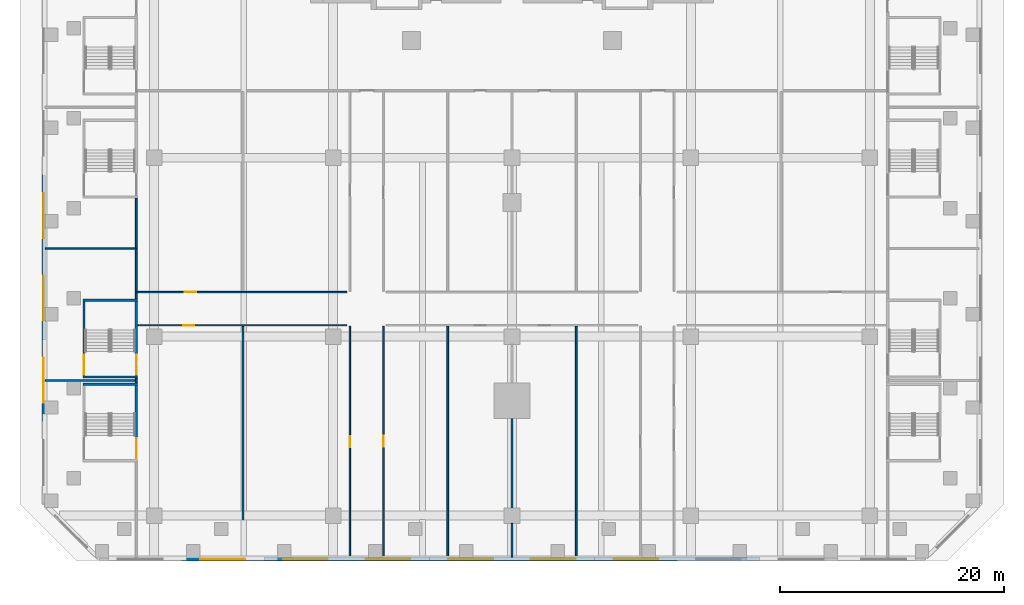
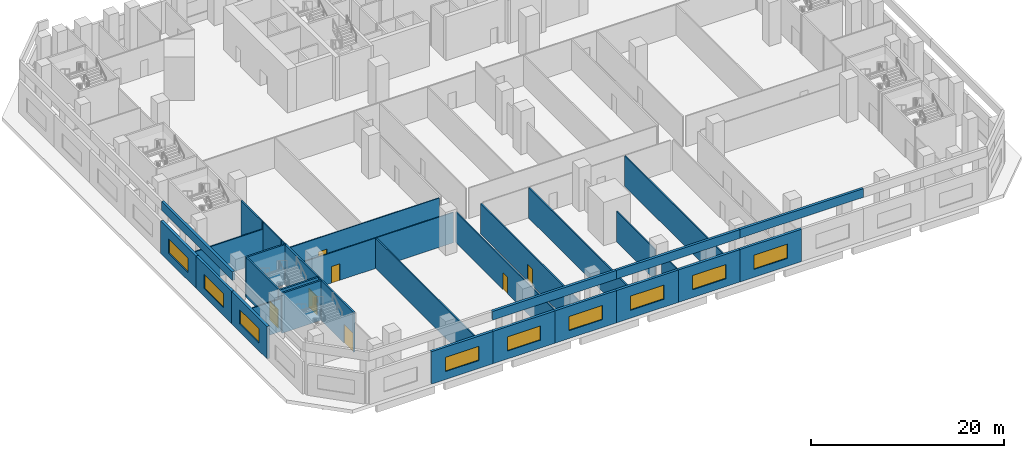
# One storey, part 4 of 22: 34 walls, 9 windows, 7 doors, 16 openings.
"""IFC4 building model written with IfcOpenShell, lengths in metres."""

from ifc_helpers import new_model, si_unit, direction, frame, frame_2d, origin, place, context, subcontext, project, spatial, rectangle, extrude, material, layer, layer_set, type_object, element, fill, save


model = new_model("IFC4")

# Units and contexts
model_context = context("Model", 3, precision=1e-05, world=origin(), true_north=direction((0.0, 1.0)))
body_context = subcontext(model_context, "Body", "Model", "MODEL_VIEW")
ifc_project = project(units=[si_unit("LENGTHUNIT", "METRE"), si_unit("AREAUNIT", "SQUARE_METRE"), si_unit("VOLUMEUNIT", "CUBIC_METRE"), si_unit("PLANEANGLEUNIT", "RADIAN"), si_unit("MASSUNIT", "GRAM", prefix="KILO")], contexts=[model_context])

# Site, building, storey
site_placement = place(None, origin())
site = spatial("IfcSite", under=ifc_project, at=site_placement, CompositionType="ELEMENT")
building_placement = place(site_placement, origin())
building = spatial("IfcBuilding", under=site, at=building_placement, Name="Calabash Gate Tower", CompositionType="ELEMENT")
storey_placement = place(building_placement, frame((0.0, 0.0, 34.5)))
storey = spatial("IfcBuildingStorey", under=building, at=storey_placement, Name="L04", CompositionType="ELEMENT", Elevation=34.5)

# Wall
ifc_material_1 = material(Name="Gypsum board on steel studs, mineral wool", Category="steel")
ifc_layer_1 = layer(ifc_material_1, 0.14990234375)
ifc_layer_set_1 = layer_set([ifc_layer_1], Name="Partition 150 gypsum board")
wall_type_1 = type_object("IfcWallType", Name="Partition 150 gypsum board", PredefinedType="PARTITIONING", material=ifc_layer_set_1)
wall_1_placement = place(storey_placement, frame((-24.050048828125, -43.719970703125, 0.0), z_axis=(0.0, 0.0, 1.0), x_axis=(0.0, 1.0, 0.0)))
element("IfcWall", 1, at=wall_1_placement, inside=storey, type_object=wall_type_1, Name="Partition", PredefinedType="PARTITIONING", context=body_context, shape_type="SweptSolid", body=[
    extrude(rectangle(XDim=20.64501953125, YDim=0.14990234375, at=frame_2d((10.322509765625, 0.0))), origin(), (0.0, 0.0, 1.0), 3.85009765625),
])

# Wall, opening, door
wall_2_placement = place(storey_placement, frame((-14.5, -43.719970703125, 0.0), z_axis=(0.0, 0.0, 1.0), x_axis=(0.0, 1.0, 0.0)))
wall_2 = element("IfcWall", 2, at=wall_2_placement, inside=storey, type_object=wall_type_1, Name="Partition", PredefinedType="PARTITIONING", context=body_context, shape_type="SweptSolid", body=[
    extrude(rectangle(XDim=20.64501953125, YDim=0.14990234375, at=frame_2d((10.322509765625, 0.0))), origin(), (0.0, 0.0, 1.0), 3.85009765625),
])
opening_1_placement = place(wall_2_placement, frame((9.820068359375, 0.0, 0.0)))
opening_1 = element("IfcOpeningElement", 3, at=opening_1_placement, cuts=wall_2, Name="Opening L04-059", PredefinedType="OPENING", context=body_context, shape_type="SweptSolid", body=[
    extrude(rectangle(XDim=1.0, YDim=2.10009765625, at=frame_2d((0.5, 1.050048828125))), frame((0.0, 0.0849609375, 0.0), z_axis=(0.0, -1.0, 0.0), x_axis=(1.0, 0.0, 0.0)), (0.0, 0.0, 1.0), 0.169921875),
])
ifc_material_2 = material(Name="Steel fire door set with fire-resisting glazing", Category="steel")
door_type_1 = type_object("IfcDoorType", Name="Fire door D11 1000x2100 FD60", OperationType="NOTDEFINED", PredefinedType="DOOR", material=ifc_material_2)
door_1_placement = place(opening_1_placement, origin())
door_1 = element("IfcDoor", 4, at=door_1_placement, inside=storey, type_object=door_type_1, Name="Meeting Room 410 door", OperationType="SINGLE_SWING_LEFT", OverallHeight=2.10009765625, OverallWidth=1.0, PredefinedType="DOOR", context=body_context, shape_type="SweptSolid", body=[
    extrude(rectangle(XDim=1.0, YDim=2.10009765625, at=frame_2d((0.5, 1.050048828125))), frame((0.0, 0.02490234375, 0.0), z_axis=(0.0, -1.0, 0.0), x_axis=(1.0, 0.0, 0.0)), (0.0, 0.0, 1.0), 0.050048828125),
])
fill(opening_1, door_1)

wall_3_placement = place(storey_placement, frame((-11.5, -43.719970703125, 0.0), z_axis=(0.0, 0.0, 1.0), x_axis=(0.0, 1.0, 0.0)))
wall_3 = element("IfcWall", 5, at=wall_3_placement, inside=storey, type_object=wall_type_1, Name="Partition", PredefinedType="PARTITIONING", context=body_context, shape_type="SweptSolid", body=[
    extrude(rectangle(XDim=20.64501953125, YDim=0.14990234375, at=frame_2d((10.322509765625, 0.0))), origin(), (0.0, 0.0, 1.0), 3.85009765625),
])
opening_2_placement = place(wall_3_placement, frame((9.8701171875, 0.0, 0.0)))
opening_2 = element("IfcOpeningElement", 6, at=opening_2_placement, cuts=wall_3, Name="Opening L04-060", PredefinedType="OPENING", context=body_context, shape_type="SweptSolid", body=[
    extrude(rectangle(XDim=1.0, YDim=2.10009765625, at=frame_2d((0.5, 1.050048828125))), frame((0.0, 0.0849609375, 0.0), z_axis=(0.0, -1.0, 0.0), x_axis=(1.0, 0.0, 0.0)), (0.0, 0.0, 1.0), 0.169921875),
])
door_2_placement = place(opening_2_placement, origin())
door_2 = element("IfcDoor", 7, at=door_2_placement, inside=storey, type_object=door_type_1, Name="Meeting Room 411 door", OperationType="SINGLE_SWING_LEFT", OverallHeight=2.10009765625, OverallWidth=1.0, PredefinedType="DOOR", context=body_context, shape_type="SweptSolid", body=[
    extrude(rectangle(XDim=1.0, YDim=2.10009765625, at=frame_2d((0.5, 1.050048828125))), frame((0.0, 0.02490234375, 0.0), z_axis=(0.0, -1.0, 0.0), x_axis=(1.0, 0.0, 0.0)), (0.0, 0.0, 1.0), 0.050048828125),
])
fill(opening_2, door_2)

# Walls
wall_4_placement = place(storey_placement, frame((-5.75, -43.719970703125, 0.0), z_axis=(0.0, 0.0, 1.0), x_axis=(0.0, 1.0, 0.0)))
element("IfcWall", 8, at=wall_4_placement, inside=storey, type_object=wall_type_1, Name="Partition", PredefinedType="PARTITIONING", context=body_context, shape_type="SweptSolid", body=[
    extrude(rectangle(XDim=20.64501953125, YDim=0.14990234375, at=frame_2d((10.322509765625, 0.0))), origin(), (0.0, 0.0, 1.0), 3.85009765625),
])
wall_5_placement = place(storey_placement, frame((0.0, -43.719970703125, 0.0), z_axis=(0.0, 0.0, 1.0), x_axis=(0.0, 1.0, 0.0)))
element("IfcWall", 9, at=wall_5_placement, inside=storey, type_object=wall_type_1, Name="Partition", PredefinedType="PARTITIONING", context=body_context, shape_type="SweptSolid", body=[
    extrude(rectangle(XDim=3.02001953125, YDim=0.14990234375, at=frame_2d((1.510009765625, 0.0))), origin(), (0.0, 0.0, 1.0), 4.14990234375),
])
wall_6_placement = place(storey_placement, frame((5.75, -43.719970703125, 0.0), z_axis=(0.0, 0.0, 1.0), x_axis=(0.0, 1.0, 0.0)))
element("IfcWall", 10, at=wall_6_placement, inside=storey, type_object=wall_type_1, Name="Partition", PredefinedType="PARTITIONING", context=body_context, shape_type="SweptSolid", body=[
    extrude(rectangle(XDim=20.64501953125, YDim=0.14990234375, at=frame_2d((10.322509765625, 0.0))), origin(), (0.0, 0.0, 1.0), 3.85009765625),
])
wall_7_placement = place(storey_placement, frame((0.0, -39.300048828125, 0.0), z_axis=(0.0, 0.0, 1.0), x_axis=(0.0, 1.0, 0.0)))
element("IfcWall", 11, at=wall_7_placement, inside=storey, type_object=wall_type_1, Name="Partition", PredefinedType="PARTITIONING", context=body_context, shape_type="SweptSolid", body=[
    extrude(rectangle(XDim=7.967041015625, YDim=0.14990234375, at=frame_2d((3.9833984375, 0.0))), origin(), (0.0, 0.0, 1.0), 3.85009765625),
])
wall_8_placement = place(storey_placement, frame((-33.60009765625, -28.110107421875, 0.0), z_axis=(0.0, 0.0, 1.0), x_axis=(0.0, 1.0, 0.0)))
element("IfcWall", 12, at=wall_8_placement, inside=storey, type_object=wall_type_1, Name="Partition", PredefinedType="PARTITIONING", context=body_context, shape_type="SweptSolid", body=[
    extrude(rectangle(XDim=0.3701171875, YDim=0.14990234375, at=frame_2d((0.18505859375, 0.0))), origin(), (0.0, 0.0, 1.0), 5.050048828125),
])
wall_9_placement = place(storey_placement, frame((-41.719970703125, -27.925048828125, 0.0), z_axis=(0.0, 0.0, 1.0), x_axis=(1.0, 0.0, 0.0)))
element("IfcWall", 13, at=wall_9_placement, inside=storey, type_object=wall_type_1, Name="Partition", PredefinedType="PARTITIONING", context=body_context, shape_type="SweptSolid", body=[
    extrude(rectangle(XDim=8.044921875, YDim=0.14990234375, at=frame_2d((4.0224609375, 0.0))), origin(), (0.0, 0.0, 1.0), 4.14990234375),
])

# Wall, opening, door
wall_10_placement = place(storey_placement, frame((-33.4599609375, -22.982421875, 0.0), z_axis=(0.0, 0.0, 1.0), x_axis=(1.0, 0.0, 0.0)))
wall_10 = element("IfcWall", 14, at=wall_10_placement, inside=storey, type_object=wall_type_1, Name="Partition", PredefinedType="PARTITIONING", context=body_context, shape_type="SweptSolid", body=[
    extrude(rectangle(XDim=18.68994140625, YDim=0.114990234375, at=frame_2d((9.344970703125, 0.0))), origin(), (0.0, 0.0, 1.0), 3.85009765625),
])
opening_3_placement = place(wall_10_placement, frame((4.06005859375, 0.0, 0.0)))
opening_3 = element("IfcOpeningElement", 15, at=opening_3_placement, cuts=wall_10, Name="Opening L04-058", PredefinedType="OPENING", context=body_context, shape_type="SweptSolid", body=[
    extrude(rectangle(XDim=1.0, YDim=2.10009765625, at=frame_2d((0.5, 1.050048828125))), frame((0.0, 0.0673828125, 0.0), z_axis=(0.0, -1.0, 0.0), x_axis=(1.0, 0.0, 0.0)), (0.0, 0.0, 1.0), 0.135009765625),
])
door_3_placement = place(opening_3_placement, origin())
door_3 = element("IfcDoor", 16, at=door_3_placement, inside=storey, type_object=door_type_1, Name="Meeting Room 409 door", OperationType="SINGLE_SWING_LEFT", OverallHeight=2.10009765625, OverallWidth=1.0, PredefinedType="DOOR", context=body_context, shape_type="SweptSolid", body=[
    extrude(rectangle(XDim=1.0, YDim=2.10009765625, at=frame_2d((0.5, 1.050048828125))), frame((0.0, 0.02490234375, 0.0), z_axis=(0.0, -1.0, 0.0), x_axis=(1.0, 0.0, 0.0)), (0.0, 0.0, 1.0), 0.050048828125),
])
fill(opening_3, door_3)

# Wall
wall_11_placement = place(storey_placement, frame((-33.60009765625, -20.610107421875, 0.0), z_axis=(0.0, 0.0, 1.0), x_axis=(0.0, 1.0, 0.0)))
element("IfcWall", 17, at=wall_11_placement, inside=storey, type_object=wall_type_1, Name="Partition", PredefinedType="PARTITIONING", context=body_context, shape_type="SweptSolid", body=[
    extrude(rectangle(XDim=0.53515625, YDim=0.14990234375, at=frame_2d((0.267578125, 0.0))), origin(), (0.0, 0.0, 1.0), 5.050048828125),
])

# Wall, opening, door
wall_12_placement = place(storey_placement, frame((-33.675048828125, -20.017578125, 0.0), z_axis=(0.0, 0.0, 1.0), x_axis=(1.0, 0.0, 0.0)))
wall_12 = element("IfcWall", 18, at=wall_12_placement, inside=storey, type_object=wall_type_1, Name="Partition", PredefinedType="PARTITIONING", context=body_context, shape_type="SweptSolid", body=[
    extrude(rectangle(XDim=18.905029296875, YDim=0.114990234375, at=frame_2d((9.45263671875, 0.0))), origin(), (0.0, 0.0, 1.0), 3.85009765625),
])
opening_4_placement = place(wall_12_placement, frame((4.425048828125, 0.0, 0.0)))
opening_4 = element("IfcOpeningElement", 19, at=opening_4_placement, cuts=wall_12, Name="Opening L04-050", PredefinedType="OPENING", context=body_context, shape_type="SweptSolid", body=[
    extrude(rectangle(XDim=1.0, YDim=2.10009765625, at=frame_2d((0.5, 1.050048828125))), frame((0.0, 0.0673828125, 0.0), z_axis=(0.0, -1.0, 0.0), x_axis=(1.0, 0.0, 0.0)), (0.0, 0.0, 1.0), 0.135009765625),
])
door_4_placement = place(opening_4_placement, origin())
door_4 = element("IfcDoor", 20, at=door_4_placement, inside=storey, type_object=door_type_1, Name="Meeting Room 401 door", OperationType="SINGLE_SWING_LEFT", OverallHeight=2.10009765625, OverallWidth=1.0, PredefinedType="DOOR", context=body_context, shape_type="SweptSolid", body=[
    extrude(rectangle(XDim=1.0, YDim=2.10009765625, at=frame_2d((0.5, 1.050048828125))), frame((0.0, 0.02490234375, 0.0), z_axis=(0.0, -1.0, 0.0), x_axis=(1.0, 0.0, 0.0)), (0.0, 0.0, 1.0), 0.050048828125),
])
fill(opening_4, door_4)

# Walls
wall_13_placement = place(storey_placement, frame((-33.60009765625, -19.925048828125, 0.0), z_axis=(0.0, 0.0, 1.0), x_axis=(0.0, 1.0, 0.0)))
element("IfcWall", 21, at=wall_13_placement, inside=storey, type_object=wall_type_1, Name="Partition", PredefinedType="PARTITIONING", context=body_context, shape_type="SweptSolid", body=[
    extrude(rectangle(XDim=3.72509765625, YDim=0.14990234375, at=frame_2d((1.862548828125, 0.0))), origin(), (0.0, 0.0, 1.0), 5.050048828125),
])
wall_14_placement = place(storey_placement, frame((-41.719970703125, -16.125, 0.0), z_axis=(0.0, 0.0, 1.0), x_axis=(1.0, 0.0, 0.0)))
element("IfcWall", 22, at=wall_14_placement, inside=storey, type_object=wall_type_1, Name="Partition", PredefinedType="PARTITIONING", context=body_context, shape_type="SweptSolid", body=[
    extrude(rectangle(XDim=8.195068359375, YDim=0.14990234375, at=frame_2d((4.09765625, 0.0))), origin(), (0.0, 0.0, 1.0), 4.14990234375),
])
wall_15_placement = place(storey_placement, frame((-33.60009765625, -16.050048828125, 0.0), z_axis=(0.0, 0.0, 1.0), x_axis=(0.0, 1.0, 0.0)))
element("IfcWall", 23, at=wall_15_placement, inside=storey, type_object=wall_type_1, Name="Partition", PredefinedType="PARTITIONING", context=body_context, shape_type="SweptSolid", body=[
    extrude(rectangle(XDim=4.41015625, YDim=0.14990234375, at=frame_2d((2.205078125, 0.0))), origin(), (0.0, 0.0, 1.0), 5.050048828125),
])

# Wall, opening, window
ifc_material_3 = material(Name="Terracotta brick masonry, exposed face", Category="masonry")
ifc_layer_2 = layer(ifc_material_3, 0.300048828125)
ifc_layer_set_2 = layer_set([ifc_layer_2], Name="Podium brick wall 300")
wall_type_2 = type_object("IfcWallType", Name="Podium brick wall 300", PredefinedType="SOLIDWALL", material=ifc_layer_set_2)
wall_16_placement = place(storey_placement, frame((-29.56005859375, -43.89990234375, 0.0), z_axis=(0.0, 0.0, 1.0), x_axis=(1.0, 0.0, 0.0)))
wall_16 = element("IfcWall", 24, at=wall_16_placement, inside=storey, type_object=wall_type_2, Name="Podium brick wall L04 0.0.1", PredefinedType="SOLIDWALL", context=body_context, shape_type="SweptSolid", body=[
    extrude(rectangle(XDim=7.39013671875, YDim=0.300048828125, at=frame_2d((3.695068359375, 0.0))), origin(), (0.0, 0.0, 1.0), 4.10009765625),
])
opening_5_placement = place(wall_16_placement, frame((1.695068359375, 0.0, 1.0)))
opening_5 = element("IfcOpeningElement", 25, at=opening_5_placement, cuts=wall_16, Name="Opening WM1", PredefinedType="OPENING", context=body_context, shape_type="SweptSolid", body=[
    extrude(rectangle(XDim=4.0, YDim=1.800048828125, at=frame_2d((2.0, 0.89990234375))), frame((0.0, 0.159912109375, 0.0), z_axis=(0.0, -1.0, 0.0), x_axis=(1.0, 0.0, 0.0)), (0.0, 0.0, 1.0), 0.320068359375),
])
ifc_material_4 = material(Name="Anodised aluminium frame, bronze finish, impact-rated laminated clear glazing", Category="aluminium")
window_type = type_object("IfcWindowType", Name="Window WM1 4000x1800", PartitioningType="TRIPLE_PANEL_VERTICAL", PredefinedType="WINDOW", material=ifc_material_4)
window_1_placement = place(opening_5_placement, origin())
window_1 = element("IfcWindow", 26, at=window_1_placement, inside=storey, type_object=window_type, Name="Meeting room window L04 0.0.1", OverallHeight=1.800048828125, OverallWidth=4.0, PartitioningType="SINGLE_PANEL", PredefinedType="WINDOW", context=body_context, shape_type="SweptSolid", body=[
    extrude(rectangle(XDim=4.0, YDim=1.800048828125, at=frame_2d((2.0, 0.89990234375))), frame((0.0, 0.030029296875, 0.0), z_axis=(0.0, -1.0, 0.0), x_axis=(1.0, 0.0, 0.0)), (0.0, 0.0, 1.0), 0.06005859375),
])
fill(opening_5, window_1)

wall_17_placement = place(storey_placement, frame((-22.169921875, -43.89990234375, 0.0), z_axis=(0.0, 0.0, 1.0), x_axis=(1.0, 0.0, 0.0)))
wall_17 = element("IfcWall", 27, at=wall_17_placement, inside=storey, type_object=wall_type_2, Name="Podium brick wall L04 0.0.2", PredefinedType="SOLIDWALL", context=body_context, shape_type="SweptSolid", body=[
    extrude(rectangle(XDim=7.389892578125, YDim=0.300048828125, at=frame_2d((3.69482421875, 0.0))), origin(), (0.0, 0.0, 1.0), 4.10009765625),
])
opening_6_placement = place(wall_17_placement, frame((1.695068359375, 0.0, 1.0)))
opening_6 = element("IfcOpeningElement", 28, at=opening_6_placement, cuts=wall_17, Name="Opening WM1", PredefinedType="OPENING", context=body_context, shape_type="SweptSolid", body=[
    extrude(rectangle(XDim=4.0, YDim=1.800048828125, at=frame_2d((2.0, 0.89990234375))), frame((0.0, 0.159912109375, 0.0), z_axis=(0.0, -1.0, 0.0), x_axis=(1.0, 0.0, 0.0)), (0.0, 0.0, 1.0), 0.320068359375),
])
window_2_placement = place(opening_6_placement, origin())
window_2 = element("IfcWindow", 29, at=window_2_placement, inside=storey, type_object=window_type, Name="Meeting room window L04 0.0.2", OverallHeight=1.800048828125, OverallWidth=4.0, PartitioningType="SINGLE_PANEL", PredefinedType="WINDOW", context=body_context, shape_type="SweptSolid", body=[
    extrude(rectangle(XDim=4.0, YDim=1.800048828125, at=frame_2d((2.0, 0.89990234375))), frame((0.0, 0.030029296875, 0.0), z_axis=(0.0, -1.0, 0.0), x_axis=(1.0, 0.0, 0.0)), (0.0, 0.0, 1.0), 0.06005859375),
])
fill(opening_6, window_2)

wall_18_placement = place(storey_placement, frame((-14.780029296875, -43.89990234375, 0.0), z_axis=(0.0, 0.0, 1.0), x_axis=(1.0, 0.0, 0.0)))
wall_18 = element("IfcWall", 30, at=wall_18_placement, inside=storey, type_object=wall_type_2, Name="Podium brick wall L04 0.0.3", PredefinedType="SOLIDWALL", context=body_context, shape_type="SweptSolid", body=[
    extrude(rectangle(XDim=7.39013671875, YDim=0.300048828125, at=frame_2d((3.695068359375, 0.0))), origin(), (0.0, 0.0, 1.0), 4.10009765625),
])
opening_7_placement = place(wall_18_placement, frame((1.695068359375, 0.0, 1.0)))
opening_7 = element("IfcOpeningElement", 31, at=opening_7_placement, cuts=wall_18, Name="Opening WM1", PredefinedType="OPENING", context=body_context, shape_type="SweptSolid", body=[
    extrude(rectangle(XDim=4.0, YDim=1.800048828125, at=frame_2d((2.0, 0.89990234375))), frame((0.0, 0.159912109375, 0.0), z_axis=(0.0, -1.0, 0.0), x_axis=(1.0, 0.0, 0.0)), (0.0, 0.0, 1.0), 0.320068359375),
])
window_3_placement = place(opening_7_placement, origin())
window_3 = element("IfcWindow", 32, at=window_3_placement, inside=storey, type_object=window_type, Name="Meeting room window L04 0.0.3", OverallHeight=1.800048828125, OverallWidth=4.0, PartitioningType="SINGLE_PANEL", PredefinedType="WINDOW", context=body_context, shape_type="SweptSolid", body=[
    extrude(rectangle(XDim=4.0, YDim=1.800048828125, at=frame_2d((2.0, 0.89990234375))), frame((0.0, 0.030029296875, 0.0), z_axis=(0.0, -1.0, 0.0), x_axis=(1.0, 0.0, 0.0)), (0.0, 0.0, 1.0), 0.06005859375),
])
fill(opening_7, window_3)

wall_19_placement = place(storey_placement, frame((-7.389892578125, -43.89990234375, 0.0), z_axis=(0.0, 0.0, 1.0), x_axis=(1.0, 0.0, 0.0)))
wall_19 = element("IfcWall", 33, at=wall_19_placement, inside=storey, type_object=wall_type_2, Name="Podium brick wall L04 0.0.4", PredefinedType="SOLIDWALL", context=body_context, shape_type="SweptSolid", body=[
    extrude(rectangle(XDim=7.389892578125, YDim=0.300048828125, at=frame_2d((3.69482421875, 0.0))), origin(), (0.0, 0.0, 1.0), 4.10009765625),
])
opening_8_placement = place(wall_19_placement, frame((1.695068359375, 0.0, 1.0)))
opening_8 = element("IfcOpeningElement", 34, at=opening_8_placement, cuts=wall_19, Name="Opening WM1", PredefinedType="OPENING", context=body_context, shape_type="SweptSolid", body=[
    extrude(rectangle(XDim=4.0, YDim=1.800048828125, at=frame_2d((2.0, 0.89990234375))), frame((0.0, 0.159912109375, 0.0), z_axis=(0.0, -1.0, 0.0), x_axis=(1.0, 0.0, 0.0)), (0.0, 0.0, 1.0), 0.320068359375),
])
window_4_placement = place(opening_8_placement, origin())
window_4 = element("IfcWindow", 35, at=window_4_placement, inside=storey, type_object=window_type, Name="Meeting room window L04 0.0.4", OverallHeight=1.800048828125, OverallWidth=4.0, PartitioningType="SINGLE_PANEL", PredefinedType="WINDOW", context=body_context, shape_type="SweptSolid", body=[
    extrude(rectangle(XDim=4.0, YDim=1.800048828125, at=frame_2d((2.0, 0.89990234375))), frame((0.0, 0.030029296875, 0.0), z_axis=(0.0, -1.0, 0.0), x_axis=(1.0, 0.0, 0.0)), (0.0, 0.0, 1.0), 0.06005859375),
])
fill(opening_8, window_4)

wall_20_placement = place(storey_placement, frame((0.0, -43.89990234375, 0.0), z_axis=(0.0, 0.0, 1.0), x_axis=(1.0, 0.0, 0.0)))
wall_20 = element("IfcWall", 36, at=wall_20_placement, inside=storey, type_object=wall_type_2, Name="Podium brick wall L04 0.0.5", PredefinedType="SOLIDWALL", context=body_context, shape_type="SweptSolid", body=[
    extrude(rectangle(XDim=7.389892578125, YDim=0.300048828125, at=frame_2d((3.69482421875, 0.0))), origin(), (0.0, 0.0, 1.0), 4.10009765625),
])
opening_9_placement = place(wall_20_placement, frame((1.695068359375, 0.0, 1.0)))
opening_9 = element("IfcOpeningElement", 37, at=opening_9_placement, cuts=wall_20, Name="Opening WM1", PredefinedType="OPENING", context=body_context, shape_type="SweptSolid", body=[
    extrude(rectangle(XDim=4.0, YDim=1.800048828125, at=frame_2d((2.0, 0.89990234375))), frame((0.0, 0.159912109375, 0.0), z_axis=(0.0, -1.0, 0.0), x_axis=(1.0, 0.0, 0.0)), (0.0, 0.0, 1.0), 0.320068359375),
])
window_5_placement = place(opening_9_placement, origin())
window_5 = element("IfcWindow", 38, at=window_5_placement, inside=storey, type_object=window_type, Name="Meeting room window L04 0.0.5", OverallHeight=1.800048828125, OverallWidth=4.0, PartitioningType="SINGLE_PANEL", PredefinedType="WINDOW", context=body_context, shape_type="SweptSolid", body=[
    extrude(rectangle(XDim=4.0, YDim=1.800048828125, at=frame_2d((2.0, 0.89990234375))), frame((0.0, 0.030029296875, 0.0), z_axis=(0.0, -1.0, 0.0), x_axis=(1.0, 0.0, 0.0)), (0.0, 0.0, 1.0), 0.06005859375),
])
fill(opening_9, window_5)

wall_21_placement = place(storey_placement, frame((7.389892578125, -43.89990234375, 0.0), z_axis=(0.0, 0.0, 1.0), x_axis=(1.0, 0.0, 0.0)))
wall_21 = element("IfcWall", 39, at=wall_21_placement, inside=storey, type_object=wall_type_2, Name="Podium brick wall L04 0.0.6", PredefinedType="SOLIDWALL", context=body_context, shape_type="SweptSolid", body=[
    extrude(rectangle(XDim=7.39013671875, YDim=0.300048828125, at=frame_2d((3.695068359375, 0.0))), origin(), (0.0, 0.0, 1.0), 4.10009765625),
])
opening_10_placement = place(wall_21_placement, frame((1.695068359375, 0.0, 1.0)))
opening_10 = element("IfcOpeningElement", 40, at=opening_10_placement, cuts=wall_21, Name="Opening WM1", PredefinedType="OPENING", context=body_context, shape_type="SweptSolid", body=[
    extrude(rectangle(XDim=4.0, YDim=1.800048828125, at=frame_2d((2.0, 0.89990234375))), frame((0.0, 0.159912109375, 0.0), z_axis=(0.0, -1.0, 0.0), x_axis=(1.0, 0.0, 0.0)), (0.0, 0.0, 1.0), 0.320068359375),
])
window_6_placement = place(opening_10_placement, origin())
window_6 = element("IfcWindow", 41, at=window_6_placement, inside=storey, type_object=window_type, Name="Meeting room window L04 0.0.6", OverallHeight=1.800048828125, OverallWidth=4.0, PartitioningType="SINGLE_PANEL", PredefinedType="WINDOW", context=body_context, shape_type="SweptSolid", body=[
    extrude(rectangle(XDim=4.0, YDim=1.800048828125, at=frame_2d((2.0, 0.89990234375))), frame((0.0, 0.030029296875, 0.0), z_axis=(0.0, -1.0, 0.0), x_axis=(1.0, 0.0, 0.0)), (0.0, 0.0, 1.0), 0.06005859375),
])
fill(opening_10, window_6)

wall_22_placement = place(storey_placement, frame((-41.89990234375, -9.5, 0.0), z_axis=(0.0, 0.0, 1.0), x_axis=(0.0, -1.0, 0.0)))
wall_22 = element("IfcWall", 42, at=wall_22_placement, inside=storey, type_object=wall_type_2, Name="Podium brick wall L04 6.0.4", PredefinedType="SOLIDWALL", context=body_context, shape_type="SweptSolid", body=[
    extrude(rectangle(XDim=7.362548828125, YDim=0.300048828125, at=frame_2d((3.68115234375, 0.0))), origin(), (0.0, 0.0, 1.0), 4.10009765625),
])
opening_11_placement = place(wall_22_placement, frame((1.68115234375, 0.0, 1.0)))
opening_11 = element("IfcOpeningElement", 43, at=opening_11_placement, cuts=wall_22, Name="Opening WM1", PredefinedType="OPENING", context=body_context, shape_type="SweptSolid", body=[
    extrude(rectangle(XDim=4.0, YDim=1.800048828125, at=frame_2d((2.0, 0.89990234375))), frame((0.0, 0.159912109375, 0.0), z_axis=(0.0, -1.0, 0.0), x_axis=(1.0, 0.0, 0.0)), (0.0, 0.0, 1.0), 0.320068359375),
])
window_7_placement = place(opening_11_placement, origin())
window_7 = element("IfcWindow", 44, at=window_7_placement, inside=storey, type_object=window_type, Name="Meeting room window L04 6.0.4", OverallHeight=1.800048828125, OverallWidth=4.0, PartitioningType="SINGLE_PANEL", PredefinedType="WINDOW", context=body_context, shape_type="SweptSolid", body=[
    extrude(rectangle(XDim=4.0, YDim=1.800048828125, at=frame_2d((2.0, 0.89990234375))), frame((0.0, 0.030029296875, 0.0), z_axis=(0.0, -1.0, 0.0), x_axis=(1.0, 0.0, 0.0)), (0.0, 0.0, 1.0), 0.06005859375),
])
fill(opening_11, window_7)

wall_23_placement = place(storey_placement, frame((-41.89990234375, -16.862548828125, 0.0), z_axis=(0.0, 0.0, 1.0), x_axis=(0.0, -1.0, 0.0)))
wall_23 = element("IfcWall", 45, at=wall_23_placement, inside=storey, type_object=wall_type_2, Name="Podium brick wall L04 6.0.5", PredefinedType="SOLIDWALL", context=body_context, shape_type="SweptSolid", body=[
    extrude(rectangle(XDim=7.362548828125, YDim=0.300048828125, at=frame_2d((3.68115234375, 0.0))), origin(), (0.0, 0.0, 1.0), 4.10009765625),
])
opening_12_placement = place(wall_23_placement, frame((1.68115234375, 0.0, 1.0)))
opening_12 = element("IfcOpeningElement", 46, at=opening_12_placement, cuts=wall_23, Name="Opening WM1", PredefinedType="OPENING", context=body_context, shape_type="SweptSolid", body=[
    extrude(rectangle(XDim=4.0, YDim=1.800048828125, at=frame_2d((2.0, 0.89990234375))), frame((0.0, 0.159912109375, 0.0), z_axis=(0.0, -1.0, 0.0), x_axis=(1.0, 0.0, 0.0)), (0.0, 0.0, 1.0), 0.320068359375),
])
window_8_placement = place(opening_12_placement, origin())
window_8 = element("IfcWindow", 47, at=window_8_placement, inside=storey, type_object=window_type, Name="Meeting room window L04 6.0.5", OverallHeight=1.800048828125, OverallWidth=4.0, PartitioningType="SINGLE_PANEL", PredefinedType="WINDOW", context=body_context, shape_type="SweptSolid", body=[
    extrude(rectangle(XDim=4.0, YDim=1.800048828125, at=frame_2d((2.0, 0.89990234375))), frame((0.0, 0.030029296875, 0.0), z_axis=(0.0, -1.0, 0.0), x_axis=(1.0, 0.0, 0.0)), (0.0, 0.0, 1.0), 0.06005859375),
])
fill(opening_12, window_8)

wall_24_placement = place(storey_placement, frame((-41.89990234375, -24.22509765625, 0.0), z_axis=(0.0, 0.0, 1.0), x_axis=(0.0, -1.0, 0.0)))
wall_24 = element("IfcWall", 48, at=wall_24_placement, inside=storey, type_object=wall_type_2, Name="Podium brick wall L04 6.0.6", PredefinedType="SOLIDWALL", context=body_context, shape_type="SweptSolid", body=[
    extrude(rectangle(XDim=7.3623046875, YDim=0.300048828125, at=frame_2d((3.68115234375, 0.0))), origin(), (0.0, 0.0, 1.0), 4.10009765625),
])
opening_13_placement = place(wall_24_placement, frame((1.68115234375, 0.0, 1.0)))
opening_13 = element("IfcOpeningElement", 49, at=opening_13_placement, cuts=wall_24, Name="Opening WM1", PredefinedType="OPENING", context=body_context, shape_type="SweptSolid", body=[
    extrude(rectangle(XDim=4.0, YDim=1.800048828125, at=frame_2d((2.0, 0.89990234375))), frame((0.0, 0.159912109375, 0.0), z_axis=(0.0, -1.0, 0.0), x_axis=(1.0, 0.0, 0.0)), (0.0, 0.0, 1.0), 0.320068359375),
])
window_9_placement = place(opening_13_placement, origin())
window_9 = element("IfcWindow", 50, at=window_9_placement, inside=storey, type_object=window_type, Name="Meeting room window L04 6.0.6", OverallHeight=1.800048828125, OverallWidth=4.0, PartitioningType="SINGLE_PANEL", PredefinedType="WINDOW", context=body_context, shape_type="SweptSolid", body=[
    extrude(rectangle(XDim=4.0, YDim=1.800048828125, at=frame_2d((2.0, 0.89990234375))), frame((0.0, 0.030029296875, 0.0), z_axis=(0.0, -1.0, 0.0), x_axis=(1.0, 0.0, 0.0)), (0.0, 0.0, 1.0), 0.06005859375),
])
fill(opening_13, window_9)

# Walls
ifc_material_5 = material(Name="Terracotta brick masonry, exposed face", Category="masonry")
ifc_layer_3 = layer(ifc_material_5, 0.300048828125)
ifc_layer_set_3 = layer_set([ifc_layer_3], Name="Podium parapet wall 300")
wall_type_3 = type_object("IfcWallType", Name="Podium parapet wall 300", PredefinedType="PARAPET", material=ifc_layer_set_3)
wall_25_placement = place(storey_placement, frame((-22.199951171875, -43.85009765625, 5.5), z_axis=(0.0, 0.0, 1.0), x_axis=(1.0, 0.0, 0.0)))
element("IfcWall", 51, at=wall_25_placement, inside=storey, type_object=wall_type_3, Name="Podium parapet L04 0.0.1", PredefinedType="PARAPET", context=body_context, shape_type="SweptSolid", body=[
    extrude(rectangle(XDim=14.800048828125, YDim=0.300048828125, at=frame_2d((7.39990234375, 0.0))), origin(), (0.0, 0.0, 1.0), 1.10009765625),
])
wall_26_placement = place(storey_placement, frame((-7.39990234375, -43.85009765625, 5.5), z_axis=(0.0, 0.0, 1.0), x_axis=(1.0, 0.0, 0.0)))
element("IfcWall", 52, at=wall_26_placement, inside=storey, type_object=wall_type_3, Name="Podium parapet L04 0.0.2", PredefinedType="PARAPET", context=body_context, shape_type="SweptSolid", body=[
    extrude(rectangle(XDim=14.7998046875, YDim=0.300048828125, at=frame_2d((7.39990234375, 0.0))), origin(), (0.0, 0.0, 1.0), 1.10009765625),
])
wall_27_placement = place(storey_placement, frame((7.39990234375, -43.85009765625, 5.5), z_axis=(0.0, 0.0, 1.0), x_axis=(1.0, 0.0, 0.0)))
element("IfcWall", 53, at=wall_27_placement, inside=storey, type_object=wall_type_3, Name="Podium parapet L04 0.0.3", PredefinedType="PARAPET", context=body_context, shape_type="SweptSolid", body=[
    extrude(rectangle(XDim=14.800048828125, YDim=0.300048828125, at=frame_2d((7.39990234375, 0.0))), origin(), (0.0, 0.0, 1.0), 1.10009765625),
])
wall_28_placement = place(storey_placement, frame((-41.85009765625, -9.60498046875, 5.5), z_axis=(0.0, 0.0, 1.0), x_axis=(0.0, -1.0, 0.0)))
element("IfcWall", 54, at=wall_28_placement, inside=storey, type_object=wall_type_3, Name="Podium parapet L04 6.0.2", PredefinedType="PARAPET", context=body_context, shape_type="SweptSolid", body=[
    extrude(rectangle(XDim=14.697509765625, YDim=0.300048828125, at=frame_2d((7.3486328125, 0.0))), origin(), (0.0, 0.0, 1.0), 1.10009765625),
])
ifc_material_6 = material(Name="Concrete C40/50", Category="concrete")
ifc_layer_4 = layer(ifc_material_6, 0.199951171875)
ifc_layer_set_4 = layer_set([ifc_layer_4], Name="Stair wall 200 Concrete C40/50")
wall_type_4 = type_object("IfcWallType", Name="Stair wall 200 Concrete C40/50", PredefinedType="SOLIDWALL", material=ifc_layer_set_4)
wall_29_placement = place(storey_placement, frame((-38.3701171875, -28.25, 0.0), z_axis=(0.0, 0.0, 1.0), x_axis=(1.0, 0.0, 0.0)))
element("IfcWall", 55, at=wall_29_placement, inside=storey, type_object=wall_type_4, Name="Stair wall", PredefinedType="SOLIDWALL", context=body_context, shape_type="SweptSolid", body=[
    extrude(rectangle(XDim=4.8701171875, YDim=0.199951171875, at=frame_2d((2.43505859375, 0.0))), origin(), (0.0, 0.0, 1.0), 5.050048828125),
])

# Wall, opening, door
wall_30_placement = place(storey_placement, frame((-33.60009765625, -35.0, 0.0), z_axis=(0.0, 0.0, 1.0), x_axis=(0.0, 1.0, 0.0)))
wall_30 = element("IfcWall", 56, at=wall_30_placement, inside=storey, type_object=wall_type_4, Name="Stair wall", PredefinedType="SOLIDWALL", context=body_context, shape_type="SweptSolid", body=[
    extrude(rectangle(XDim=6.64990234375, YDim=0.199951171875, at=frame_2d((3.324951171875, 0.0))), origin(), (0.0, 0.0, 1.0), 5.050048828125),
])
opening_14_placement = place(wall_30_placement, frame((0.10009765625, 0.0, 0.0)))
opening_14 = element("IfcOpeningElement", 57, at=opening_14_placement, cuts=wall_30, Name="Opening L04-020", PredefinedType="OPENING", context=body_context, shape_type="SweptSolid", body=[
    extrude(rectangle(XDim=1.800048828125, YDim=2.39990234375, at=frame_2d((0.89990234375, 1.199951171875))), frame((0.0, 0.10986328125, 0.0), z_axis=(0.0, -1.0, 0.0), x_axis=(1.0, 0.0, 0.0)), (0.0, 0.0, 1.0), 0.219970703125),
])
ifc_material_7 = material(Name="Steel fire door set with fire-resisting glazing", Category="steel")
door_type_2 = type_object("IfcDoorType", Name="Double fire door D16 1800x2400 FD90", OperationType="DOUBLE_DOOR_SINGLE_SWING", PredefinedType="DOOR", material=ifc_material_7)
door_5_placement = place(opening_14_placement, origin())
door_5 = element("IfcDoor", 58, at=door_5_placement, inside=storey, type_object=door_type_2, Name="Exit stair door PS1", OperationType="DOUBLE_DOOR_SINGLE_SWING", OverallHeight=2.39990234375, OverallWidth=1.800048828125, PredefinedType="DOOR", context=body_context, shape_type="SweptSolid", body=[
    extrude(rectangle(XDim=1.800048828125, YDim=2.39990234375, at=frame_2d((0.89990234375, 1.199951171875))), frame((0.0, 0.02490234375, 0.0), z_axis=(0.0, -1.0, 0.0), x_axis=(1.0, 0.0, 0.0)), (0.0, 0.0, 1.0), 0.050048828125),
])
fill(opening_14, door_5)

# Walls
for number, where, z_axis, x_axis, name in (
    (59, (-38.3701171875, -27.60009765625, 0.0), (0.0, 0.0, 1.0), (1.0, 0.0, 0.0), "Stair wall"),
    (60, (-38.3701171875, -20.75, 0.0), (0.0, 0.0, 1.0), (1.0, 0.0, 0.0), "Stair wall"),
):
    element("IfcWall", number, at=place(storey_placement, frame(where, z_axis=z_axis, x_axis=x_axis)), inside=storey, type_object=wall_type_4, Name=name, PredefinedType="SOLIDWALL", context=body_context, shape_type="SweptSolid", body=[
        extrude(rectangle(XDim=4.8701171875, YDim=0.199951171875, at=frame_2d((2.43505859375, 0.0))), origin(), (0.0, 0.0, 1.0), 5.050048828125),
    ])

# Wall, opening, door
wall_31_placement = place(storey_placement, frame((-38.27001953125, -27.5, 0.0), z_axis=(0.0, 0.0, 1.0), x_axis=(0.0, 1.0, 0.0)))
wall_31 = element("IfcWall", 61, at=wall_31_placement, inside=storey, type_object=wall_type_4, Name="Stair wall", PredefinedType="SOLIDWALL", context=body_context, shape_type="SweptSolid", body=[
    extrude(rectangle(XDim=6.64990234375, YDim=0.199951171875, at=frame_2d((3.324951171875, 0.0))), origin(), (0.0, 0.0, 1.0), 5.050048828125),
])
opening_15_placement = place(wall_31_placement, frame((0.10009765625, 0.0, 0.0)))
opening_15 = element("IfcOpeningElement", 62, at=opening_15_placement, cuts=wall_31, Name="Opening L04-023", PredefinedType="OPENING", context=body_context, shape_type="SweptSolid", body=[
    extrude(rectangle(XDim=1.800048828125, YDim=2.39990234375, at=frame_2d((0.89990234375, 1.199951171875))), frame((0.0, 0.10986328125, 0.0), z_axis=(0.0, -1.0, 0.0), x_axis=(1.0, 0.0, 0.0)), (0.0, 0.0, 1.0), 0.219970703125),
])
door_6_placement = place(opening_15_placement, origin())
door_6 = element("IfcDoor", 63, at=door_6_placement, inside=storey, type_object=door_type_2, Name="Exit stair door PS2", OperationType="DOUBLE_DOOR_SINGLE_SWING", OverallHeight=2.39990234375, OverallWidth=1.800048828125, PredefinedType="DOOR", context=body_context, shape_type="SweptSolid", body=[
    extrude(rectangle(XDim=1.800048828125, YDim=2.39990234375, at=frame_2d((0.89990234375, 1.199951171875))), frame((0.0, 0.02490234375, 0.0), z_axis=(0.0, -1.0, 0.0), x_axis=(1.0, 0.0, 0.0)), (0.0, 0.0, 1.0), 0.050048828125),
])
fill(opening_15, door_6)

wall_32_placement = place(storey_placement, frame((-33.60009765625, -27.5, 0.0), z_axis=(0.0, 0.0, 1.0), x_axis=(0.0, 1.0, 0.0)))
wall_32 = element("IfcWall", 64, at=wall_32_placement, inside=storey, type_object=wall_type_4, Name="Stair wall", PredefinedType="SOLIDWALL", context=body_context, shape_type="SweptSolid", body=[
    extrude(rectangle(XDim=6.64990234375, YDim=0.199951171875, at=frame_2d((3.324951171875, 0.0))), origin(), (0.0, 0.0, 1.0), 5.050048828125),
])
opening_16_placement = place(wall_32_placement, frame((0.10009765625, 0.0, 0.0)))
opening_16 = element("IfcOpeningElement", 65, at=opening_16_placement, cuts=wall_32, Name="Opening L04-022", PredefinedType="OPENING", context=body_context, shape_type="SweptSolid", body=[
    extrude(rectangle(XDim=1.800048828125, YDim=2.39990234375, at=frame_2d((0.89990234375, 1.199951171875))), frame((0.0, 0.10986328125, 0.0), z_axis=(0.0, -1.0, 0.0), x_axis=(1.0, 0.0, 0.0)), (0.0, 0.0, 1.0), 0.219970703125),
])
door_7_placement = place(opening_16_placement, origin())
door_7 = element("IfcDoor", 66, at=door_7_placement, inside=storey, type_object=door_type_2, Name="Exit stair door PS2", OperationType="DOUBLE_DOOR_SINGLE_SWING", OverallHeight=2.39990234375, OverallWidth=1.800048828125, PredefinedType="DOOR", context=body_context, shape_type="SweptSolid", body=[
    extrude(rectangle(XDim=1.800048828125, YDim=2.39990234375, at=frame_2d((0.89990234375, 1.199951171875))), frame((0.0, 0.02490234375, 0.0), z_axis=(0.0, -1.0, 0.0), x_axis=(1.0, 0.0, 0.0)), (0.0, 0.0, 1.0), 0.050048828125),
])
fill(opening_16, door_7)

save(model, "model.ifc")
